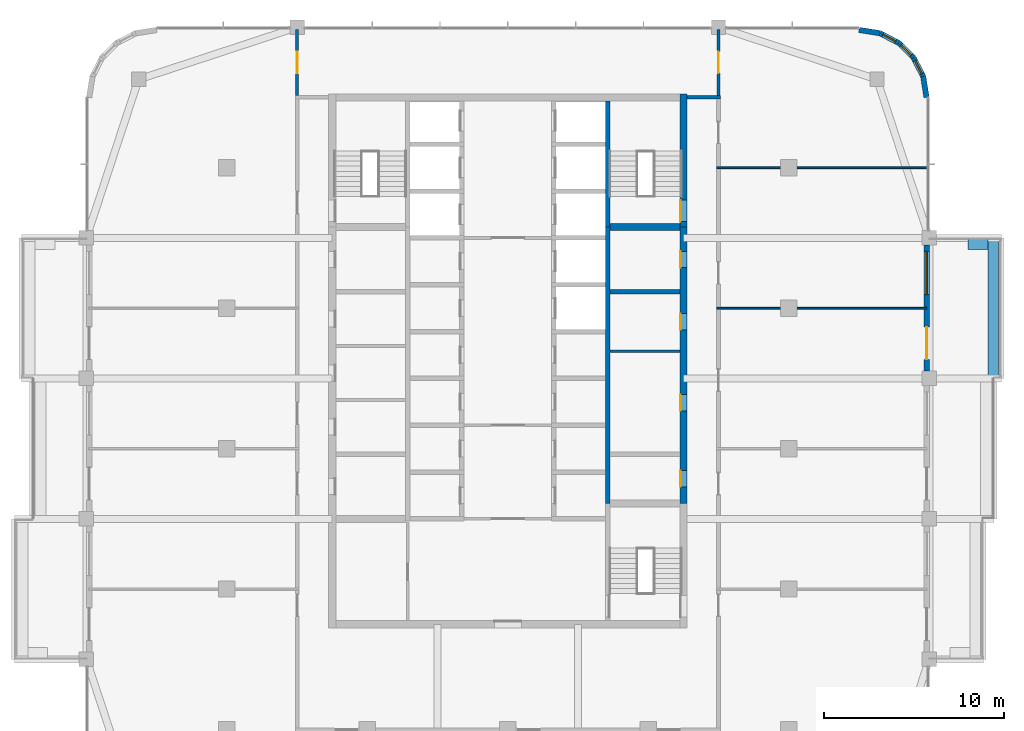
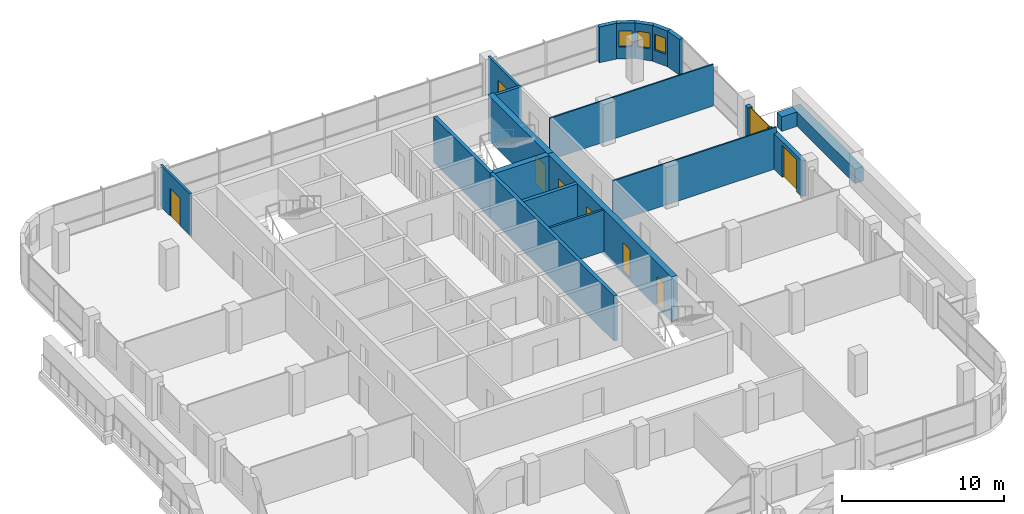
# One storey, part 16 of 22: 20 walls, 8 doors, 4 windows, 12 openings.
"""IFC4 building model written with IfcOpenShell, lengths in metres."""

import ifcopenshell
import ifcopenshell.guid

model = None  # the IFC model being written
_history = None  # IfcOwnerHistory: only IFC2X3 demands one
_inside = {}  # id of a spatial element -> (the spatial element, [elements in it])
_under = {}  # id of a project, library or spatial element -> (it, [spatial elements below it])
_declared = {}  # id of a project -> (the project, [libraries it declares])
_typed = {}  # id of a type object -> (the type object, [elements of that type])
_made_of = {}  # id of a material, layer set ... -> (it, [elements and type objects made of it])


def new_model(schema):
    """Start an empty IFC model of exactly this schema.

    Asked for "IFC4X3", IfcOpenShell would pick the latest addendum, in which some entities
    have other attributes; the version numbers below select the first issue.
    IFC2X3 requires an IfcOwnerHistory on every rooted entity: one is made here for all.
    """
    global model, _history
    if schema == "IFC4X3":
        model = ifcopenshell.file(schema_version=(4, 3, 0, 0))
    else:
        model = ifcopenshell.file(schema=schema)
    _inside.clear()
    _under.clear()
    _declared.clear()
    _typed.clear()
    _made_of.clear()
    _history = None
    if model.schema == "IFC2X3":
        org = make("IfcOrganization", Name="unknown")
        user = make(
            "IfcPersonAndOrganization",
            ThePerson=make("IfcPerson", FamilyName="unknown"),
            TheOrganization=org,
        )
        app = make(
            "IfcApplication",
            ApplicationDeveloper=org,
            Version="unknown",
            ApplicationFullName="unknown",
            ApplicationIdentifier="unknown",
        )
        _history = make(
            "IfcOwnerHistory",
            OwningUser=user,
            OwningApplication=app,
            ChangeAction="ADDED",
            CreationDate=0,
        )
    return model


def make(cls, **values):
    """One entity of the class cls with the attributes given. An attribute that is None is left unset."""
    return model.create_entity(
        cls, **{name: value for name, value in values.items() if value is not None}
    )


def rooted(cls, **values):
    """An entity with a GlobalId (a new one), such as an element, a storey or a relation."""
    return make(cls, GlobalId=ifcopenshell.guid.new(), OwnerHistory=_history, **values)


def si_unit(unit_type, name, prefix=None):
    """IfcSIUnit, for example si_unit("LENGTHUNIT", "METRE", prefix="MILLI")."""
    return make("IfcSIUnit", UnitType=unit_type, Prefix=prefix, Name=name)


def assignment(units):
    """IfcUnitAssignment: the units of a project."""
    return None if units is None else make("IfcUnitAssignment", Units=units)


def point(xyz):
    """IfcCartesianPoint."""
    return None if xyz is None else make("IfcCartesianPoint", Coordinates=xyz)


def direction(xyz):
    """IfcDirection."""
    return None if xyz is None else make("IfcDirection", DirectionRatios=xyz)


def frame(location, z_axis=None, x_axis=None):
    """IfcAxis2Placement3D, a coordinate frame: its origin and axes. An axis left out is left unset."""
    return make(
        "IfcAxis2Placement3D",
        Location=point(location),
        Axis=direction(z_axis),
        RefDirection=direction(x_axis),
    )


def frame_2d(location, x_axis=None):
    """IfcAxis2Placement2D, a coordinate frame in the plane: its origin and x axis."""
    return make(
        "IfcAxis2Placement2D", Location=point(location), RefDirection=direction(x_axis)
    )


def origin():
    """The frame at (0, 0, 0) with its axes left unset."""
    return frame((0.0, 0.0, 0.0))


def place(relative_to, where):
    """IfcLocalPlacement: puts the frame where relative to a parent placement (None: the world)."""
    return make(
        "IfcLocalPlacement", PlacementRelTo=relative_to, RelativePlacement=where
    )


def context(
    kind, dimensions, precision=None, world=None, true_north=None, identifier=None
):
    """IfcGeometricRepresentationContext, for example the 3D "Model" context."""
    return make(
        "IfcGeometricRepresentationContext",
        ContextIdentifier=identifier,
        ContextType=kind,
        CoordinateSpaceDimension=dimensions,
        Precision=precision,
        WorldCoordinateSystem=world,
        TrueNorth=true_north,
    )


def subcontext(parent, identifier, kind, view, scale=None):
    """IfcGeometricRepresentationSubContext, for example "Body" below "Model"."""
    return make(
        "IfcGeometricRepresentationSubContext",
        ContextIdentifier=identifier,
        ContextType=kind,
        ParentContext=parent,
        TargetScale=scale,
        TargetView=view,
    )


def project(units=None, contexts=None):
    """IfcProject with its units and contexts."""
    return rooted(
        "IfcProject",
        Name="project",
        RepresentationContexts=contexts,
        UnitsInContext=assignment(units),
    )


def spatial(cls, under=None, at=None, **own):
    """A site, building, storey or space (cls), placed at a placement, below another one or the project."""
    s = rooted(cls, ObjectPlacement=at, **own)
    if under is not None:
        _under.setdefault(under.id(), (under, []))[1].append(s)
    return s


def profile(cls, at=None, kind="AREA", **sizes):
    """A parametric profile (cls). Its sizes go by their IFC names, for example OverallWidth=200.0."""
    return make(cls, ProfileType=kind, Position=at, **sizes)


def rectangle(**sizes):
    """IfcRectangleProfileDef."""
    return profile("IfcRectangleProfileDef", **sizes)


def extrude(swept, where, along, depth):
    """IfcExtrudedAreaSolid: the profile swept, set in the frame where, extruded along a direction by depth."""
    return make(
        "IfcExtrudedAreaSolid",
        SweptArea=swept,
        Position=where,
        ExtrudedDirection=direction(along),
        Depth=depth,
    )


def shape(context_of_items, identifier, shape_type, items):
    """IfcShapeRepresentation: the items that make up one representation, for example the "Body"."""
    return make(
        "IfcShapeRepresentation",
        ContextOfItems=context_of_items,
        RepresentationIdentifier=identifier,
        RepresentationType=shape_type,
        Items=items,
    )


def material(Name=None, Category=None):
    """IfcMaterial."""
    return make("IfcMaterial", Name=Name, Category=Category)


def layer(
    of_material, thickness, ventilated=None, Name=None, Category=None, Priority=None
):
    """IfcMaterialLayer: one layer of a wall or slab, of a material (None: an air gap)."""
    return make(
        "IfcMaterialLayer",
        Material=of_material,
        LayerThickness=thickness,
        IsVentilated=ventilated,
        Name=Name,
        Category=Category,
        Priority=Priority,
    )


def layer_set(layers, Name=None):
    """IfcMaterialLayerSet."""
    return make("IfcMaterialLayerSet", MaterialLayers=layers, LayerSetName=Name)


def made_of(thing, what):
    """Note that an element or type object is made of a material, layer set ...; save() writes the relation."""
    if what is not None:
        _made_of.setdefault(what.id(), (what, []))[1].append(thing)
    return thing


def type_object(cls, material=None, **own):
    """A type object (cls), such as IfcWallType, which elements share."""
    return made_of(rooted(cls, **own), material)


def element(
    cls,
    number,
    at=None,
    inside=None,
    cuts=None,
    type_object=None,
    material=None,
    context=None,
    identifier="Body",
    shape_type=None,
    held_by="IfcProductDefinitionShape",
    body=None,
    shapes=None,
    **own,
):
    """One element of the class cls, such as IfcWall. Its Tag is "e" and its number.

    at: its placement. inside: the storey or other place that contains it. cuts: it is an
    opening in that element (IfcRelVoidsElement). A single representation is given by context,
    identifier, shape_type and body (its items); several are given by shapes. held_by: the class
    of the entity that holds the representations. save() writes the other relations.
    """
    e = rooted(cls, Tag="e%d" % number, ObjectPlacement=at, **own)
    if body is not None:
        shapes = [shape(context, identifier, shape_type, body)]
    if shapes is not None:
        e.Representation = make(held_by, Representations=shapes)
    if inside is not None:
        _inside.setdefault(inside.id(), (inside, []))[1].append(e)
    if cuts is not None:
        rooted(
            "IfcRelVoidsElement", RelatingBuildingElement=cuts, RelatedOpeningElement=e
        )
    if type_object is not None:
        _typed.setdefault(type_object.id(), (type_object, []))[1].append(e)
    return made_of(e, material)


def fill(opening, filler):
    """IfcRelFillsElement: the door or window that sits in an opening."""
    return rooted(
        "IfcRelFillsElement",
        RelatingOpeningElement=opening,
        RelatedBuildingElement=filler,
    )


def aggregate(whole, parts):
    """IfcRelAggregates: a whole, such as a stair, and the parts it consists of."""
    return rooted("IfcRelAggregates", RelatingObject=whole, RelatedObjects=parts)


def save(model, path):
    """Write the relations noted so far, then the file.

    IfcRelAggregates (storeys below a building ...), IfcRelContainedInSpatialStructure (elements
    in a storey), IfcRelDefinesByType, IfcRelAssociatesMaterial and IfcRelDeclares: one each for
    every whole, place, type object, material and project.
    """
    for whole, parts in _under.values():
        aggregate(whole, parts)
    for where, things in _inside.values():
        rooted(
            "IfcRelContainedInSpatialStructure",
            RelatedElements=things,
            RelatingStructure=where,
        )
    for kind, things in _typed.values():
        rooted("IfcRelDefinesByType", RelatedObjects=things, RelatingType=kind)
    for what, things in _made_of.values():
        rooted("IfcRelAssociatesMaterial", RelatedObjects=things, RelatingMaterial=what)
    for by, libraries in _declared.values():
        rooted("IfcRelDeclares", RelatingContext=by, RelatedDefinitions=libraries)
    model.write(path)


model = new_model("IFC4")

# Units and contexts
model_context = context("Model", 3, precision=1e-05, world=origin(), true_north=direction((0.0, 1.0)))
body_context = subcontext(model_context, "Body", "Model", "MODEL_VIEW")
ifc_project = project(units=[si_unit("LENGTHUNIT", "METRE"), si_unit("AREAUNIT", "SQUARE_METRE"), si_unit("VOLUMEUNIT", "CUBIC_METRE"), si_unit("PLANEANGLEUNIT", "RADIAN"), si_unit("MASSUNIT", "GRAM", prefix="KILO")], contexts=[model_context])

# Site, building, storey
site_placement = place(None, origin())
site = spatial("IfcSite", under=ifc_project, at=site_placement, CompositionType="ELEMENT")
building_placement = place(site_placement, origin())
building = spatial("IfcBuilding", under=site, at=building_placement, Name="Ludao Terraces", CompositionType="ELEMENT")
storey_placement = place(building_placement, frame((0.0, 0.0, 200.699951171875)))
storey = spatial("IfcBuildingStorey", under=building, at=storey_placement, Name="L54", CompositionType="ELEMENT", Elevation=200.699951171875)

# Wall, openings, doors
ifc_material_1 = material(Name="Concrete C50", Category="concrete")
ifc_layer_1 = layer(ifc_material_1, 0.39990234375)
ifc_layer_set_1 = layer_set([ifc_layer_1], Name="Core wall 400 C50")
wall_type_1 = type_object("IfcWallType", Name="Core wall 400 C50", PredefinedType="SOLIDWALL", material=ifc_layer_set_1)
wall_1_placement = place(storey_placement, frame((94.75, 61.949951171875, -0.25), z_axis=(0.0, 0.0, 1.0), x_axis=(0.0, 1.0, 0.0)))
wall_1 = element("IfcWall", 1, at=wall_1_placement, inside=storey, type_object=wall_type_1, Name="Core wall L54 outer-E", PredefinedType="SOLIDWALL", context=body_context, shape_type="SweptSolid", body=[
    extrude(rectangle(XDim=15.35009765625, YDim=0.39990234375, at=frame_2d((7.675048828125, 0.0))), origin(), (0.0, 0.0, 1.0), 3.400146484375),
])
opening_1_placement = place(wall_1_placement, frame((0.925048828125, 0.0, 0.25)))
opening_1 = element("IfcOpeningElement", 2, at=opening_1_placement, cuts=wall_1, Name="Opening C3-016", PredefinedType="OPENING", context=body_context, shape_type="SweptSolid", body=[
    extrude(rectangle(XDim=0.89990234375, YDim=2.10009765625, at=frame_2d((0.449951171875, 1.050048828125))), frame((0.0, 0.2099609375, 0.0), z_axis=(0.0, -1.0, 0.0), x_axis=(1.0, 0.0, 0.0)), (0.0, 0.0, 1.0), 0.419921875),
])
opening_2_placement = place(wall_1_placement, frame((5.14990234375, 0.0, 0.25)))
opening_2 = element("IfcOpeningElement", 3, at=opening_2_placement, cuts=wall_1, Name="Opening C3-022", PredefinedType="OPENING", context=body_context, shape_type="SweptSolid", body=[
    extrude(rectangle(XDim=0.89990234375, YDim=2.10009765625, at=frame_2d((0.449951171875, 1.050048828125))), frame((0.0, 0.2099609375, 0.0), z_axis=(0.0, -1.0, 0.0), x_axis=(1.0, 0.0, 0.0)), (0.0, 0.0, 1.0), 0.419921875),
])
opening_3_placement = place(wall_1_placement, frame((9.64990234375, 0.0, 0.25)))
opening_3 = element("IfcOpeningElement", 4, at=opening_3_placement, cuts=wall_1, Name="Opening C3-029", PredefinedType="OPENING", context=body_context, shape_type="SweptSolid", body=[
    extrude(rectangle(XDim=0.89990234375, YDim=2.10009765625, at=frame_2d((0.449951171875, 1.050048828125))), frame((0.0, 0.2099609375, 0.0), z_axis=(0.0, -1.0, 0.0), x_axis=(1.0, 0.0, 0.0)), (0.0, 0.0, 1.0), 0.419921875),
])
opening_4_placement = place(wall_1_placement, frame((13.10009765625, 0.0, 0.25)))
opening_4 = element("IfcOpeningElement", 5, at=opening_4_placement, cuts=wall_1, Name="Opening C3-037", PredefinedType="OPENING", context=body_context, shape_type="SweptSolid", body=[
    extrude(rectangle(XDim=0.89990234375, YDim=2.10009765625, at=frame_2d((0.449951171875, 1.050048828125))), frame((0.0, 0.2099609375, 0.0), z_axis=(0.0, -1.0, 0.0), x_axis=(1.0, 0.0, 0.0)), (0.0, 0.0, 1.0), 0.419921875),
])
ifc_material_2 = material(Name="Steel Q235", Category="steel")
door_type_1 = type_object("IfcDoorType", Name="INT Riser door 900", OperationType="SINGLE_SWING_LEFT", PredefinedType="DOOR", material=ifc_material_2)
door_1_placement = place(opening_1_placement, origin())
door_1 = element("IfcDoor", 6, at=door_1_placement, inside=storey, type_object=door_type_1, Name="DOOR 016", OperationType="SINGLE_SWING_LEFT", OverallHeight=2.10009765625, OverallWidth=0.89990234375, PredefinedType="DOOR", context=body_context, shape_type="SweptSolid", body=[
    extrude(rectangle(XDim=0.89990234375, YDim=2.10009765625, at=frame_2d((0.449951171875, 1.050048828125))), frame((0.0, 0.18505859375, 0.0), z_axis=(0.0, -1.0, 0.0), x_axis=(1.0, 0.0, 0.0)), (0.0, 0.0, 1.0), 0.050048828125),
])
fill(opening_1, door_1)
door_2_placement = place(opening_4_placement, origin())
door_2 = element("IfcDoor", 7, at=door_2_placement, inside=storey, type_object=door_type_1, Name="DOOR 037", OperationType="SINGLE_SWING_RIGHT", OverallHeight=2.10009765625, OverallWidth=0.89990234375, PredefinedType="DOOR", context=body_context, shape_type="SweptSolid", body=[
    extrude(rectangle(XDim=0.89990234375, YDim=2.10009765625, at=frame_2d((0.449951171875, 1.050048828125))), frame((0.0, 0.18505859375, 0.0), z_axis=(0.0, -1.0, 0.0), x_axis=(1.0, 0.0, 0.0)), (0.0, 0.0, 1.0), 0.050048828125),
])
fill(opening_4, door_2)
ifc_material_3 = material(Name="Timber door leaf", Category="wood")
door_type_2 = type_object("IfcDoorType", Name="INT Room door 900", OperationType="SINGLE_SWING_LEFT", PredefinedType="DOOR", material=ifc_material_3)
door_3_placement = place(opening_2_placement, origin())
door_3 = element("IfcDoor", 8, at=door_3_placement, inside=storey, type_object=door_type_2, Name="DOOR 022", OperationType="SINGLE_SWING_LEFT", OverallHeight=2.10009765625, OverallWidth=0.89990234375, PredefinedType="DOOR", context=body_context, shape_type="SweptSolid", body=[
    extrude(rectangle(XDim=0.89990234375, YDim=2.10009765625, at=frame_2d((0.449951171875, 1.050048828125))), frame((0.0, 0.18505859375, 0.0), z_axis=(0.0, -1.0, 0.0), x_axis=(1.0, 0.0, 0.0)), (0.0, 0.0, 1.0), 0.050048828125),
])
fill(opening_2, door_3)
door_4_placement = place(opening_3_placement, origin())
door_4 = element("IfcDoor", 9, at=door_4_placement, inside=storey, type_object=door_type_2, Name="DOOR 029", OperationType="SINGLE_SWING_LEFT", OverallHeight=2.10009765625, OverallWidth=0.89990234375, PredefinedType="DOOR", context=body_context, shape_type="SweptSolid", body=[
    extrude(rectangle(XDim=0.89990234375, YDim=2.10009765625, at=frame_2d((0.449951171875, 1.050048828125))), frame((0.0, 0.18505859375, 0.0), z_axis=(0.0, -1.0, 0.0), x_axis=(1.0, 0.0, 0.0)), (0.0, 0.0, 1.0), 0.050048828125),
])
fill(opening_3, door_4)

# Wall, opening, door
wall_2_placement = place(storey_placement, frame((94.75, 77.300048828125, -0.25), z_axis=(0.0, 0.0, 1.0), x_axis=(0.0, 1.0, 0.0)))
wall_2 = element("IfcWall", 10, at=wall_2_placement, inside=storey, type_object=wall_type_1, Name="Core wall L54 outer-E-S2", PredefinedType="SOLIDWALL", context=body_context, shape_type="SweptSolid", body=[
    extrude(rectangle(XDim=7.39990234375, YDim=0.39990234375, at=frame_2d((3.699951171875, 0.0))), origin(), (0.0, 0.0, 1.0), 3.400146484375),
])
opening_5_placement = place(wall_2_placement, frame((0.300048828125, 0.0, 0.25)))
opening_5 = element("IfcOpeningElement", 11, at=opening_5_placement, cuts=wall_2, Name="Opening C3-042", PredefinedType="OPENING", context=body_context, shape_type="SweptSolid", body=[
    extrude(rectangle(XDim=1.199951171875, YDim=2.10009765625, at=frame_2d((0.60009765625, 1.050048828125))), frame((0.0, 0.2099609375, 0.0), z_axis=(0.0, -1.0, 0.0), x_axis=(1.0, 0.0, 0.0)), (0.0, 0.0, 1.0), 0.419921875),
])
door_type_3 = type_object("IfcDoorType", Name="INT Stair door 1200", OperationType="DOUBLE_DOOR_SINGLE_SWING", PredefinedType="DOOR", material=ifc_material_2)
door_5_placement = place(opening_5_placement, origin())
door_5 = element("IfcDoor", 12, at=door_5_placement, inside=storey, type_object=door_type_3, Name="DOOR 042", OperationType="DOUBLE_DOOR_SINGLE_SWING", OverallHeight=2.10009765625, OverallWidth=1.199951171875, PredefinedType="DOOR", context=body_context, shape_type="SweptSolid", body=[
    extrude(rectangle(XDim=1.199951171875, YDim=2.10009765625, at=frame_2d((0.60009765625, 1.050048828125))), frame((0.0, 0.18505859375, 0.0), z_axis=(0.0, -1.0, 0.0), x_axis=(1.0, 0.0, 0.0)), (0.0, 0.0, 1.0), 0.050048828125),
])
fill(opening_5, door_5)

# Walls
ifc_material_4 = material(Name="Concrete C40", Category="concrete")
ifc_layer_2 = layer(ifc_material_4, 0.60009765625)
ifc_layer_set_2 = layer_set([ifc_layer_2], Name="ENV Planter trough 600")
wall_type_2 = type_object("IfcWallType", Name="ENV Planter trough 600", PredefinedType="USERDEFINED", material=ifc_layer_set_2)
wall_3_placement = place(storey_placement, frame((111.949951171875, 68.89990234375, 0.0), z_axis=(0.0, 0.0, 1.0), x_axis=(0.0, 1.0, 0.0)))
element("IfcWall", 13, at=wall_3_placement, inside=storey, type_object=wall_type_2, Name="PL-L54-E3", ObjectType="PLANTER", PredefinedType="USERDEFINED", context=body_context, shape_type="SweptSolid", body=[
    extrude(rectangle(XDim=7.800048828125, YDim=0.60009765625, at=frame_2d((3.89990234375, 0.0))), origin(), (0.0, 0.0, 1.0), 1.10009765625),
])
wall_4_placement = place(storey_placement, frame((111.64990234375, 76.35009765625, 0.0), z_axis=(0.0, 0.0, 1.0), x_axis=(-1.0, 0.0, 0.0)))
element("IfcWall", 14, at=wall_4_placement, inside=storey, type_object=wall_type_2, Name="PL-L54-E3-SB", ObjectType="PLANTER", PredefinedType="USERDEFINED", context=body_context, shape_type="SweptSolid", body=[
    extrude(rectangle(XDim=1.099853515625, YDim=0.60009765625, at=frame_2d((0.5498046875, 0.0))), origin(), (0.0, 0.0, 1.0), 1.10009765625),
])

# Wall, openings, door, window
ifc_material_5 = material(Name="Granite cladding", Category="masonry")
ifc_layer_3 = layer(ifc_material_5, 0.0400390625, Category="stone")
ifc_material_6 = material(Name="Mineral wool")
ifc_layer_4 = layer(ifc_material_6, 0.06005859375)
ifc_layer_5 = layer(ifc_material_4, 0.199951171875, Category="concrete")
ifc_layer_set_3 = layer_set([ifc_layer_3, ifc_layer_4, ifc_layer_5], Name="ENV Stone-clad wall 300")
wall_type_3 = type_object("IfcWallType", Name="ENV Stone-clad wall 300", PredefinedType="SOLIDWALL", material=ifc_layer_set_3)
wall_5_placement = place(storey_placement, frame((108.25, 69.300048828125, 0.0), z_axis=(0.0, 0.0, 1.0), x_axis=(0.0, 1.0, 0.0)))
wall_5 = element("IfcWall", 15, at=wall_5_placement, inside=storey, type_object=wall_type_3, Name="EW-L54-E4", PredefinedType="SOLIDWALL", context=body_context, shape_type="SweptSolid", body=[
    extrude(rectangle(XDim=7.0, YDim=0.300048828125, at=frame_2d((3.5, 0.0))), origin(), (0.0, 0.0, 1.0), 2.699951171875),
])
opening_6_placement = place(wall_5_placement, frame((0.64990234375, 0.0, 0.0)))
opening_6 = element("IfcOpeningElement", 16, at=opening_6_placement, cuts=wall_5, Name="Opening BD", PredefinedType="OPENING", context=body_context, shape_type="SweptSolid", body=[
    extrude(rectangle(XDim=1.800048828125, YDim=2.39990234375, at=frame_2d((0.89990234375, 1.199951171875))), frame((0.0, 0.16015625, 0.0), z_axis=(0.0, -1.0, 0.0), x_axis=(1.0, 0.0, 0.0)), (0.0, 0.0, 1.0), 0.320068359375),
])
opening_7_placement = place(wall_5_placement, frame((4.25, 0.0, 0.60009765625)))
opening_7 = element("IfcOpeningElement", 17, at=opening_7_placement, cuts=wall_5, Name="Opening W4", PredefinedType="OPENING", context=body_context, shape_type="SweptSolid", body=[
    extrude(rectangle(XDim=2.39990234375, YDim=2.10009765625, at=frame_2d((1.199951171875, 1.050048828125))), frame((0.0, 0.16015625, 0.0), z_axis=(0.0, -1.0, 0.0), x_axis=(1.0, 0.0, 0.0)), (0.0, 0.0, 1.0), 0.320068359375),
])
ifc_material_7 = material(Name="Aluminium glazed door", Category="aluminium")
ifc_layer_6 = layer(ifc_material_7, 0.06005859375)
ifc_layer_set_4 = layer_set([ifc_layer_6], Name="ENV Balcony door BD 1800x2400")
door_type_4 = type_object("IfcDoorType", Name="ENV Balcony door BD 1800x2400", OperationType="DOUBLE_DOOR_SINGLE_SWING", PredefinedType="DOOR", material=ifc_layer_set_4)
door_6_placement = place(opening_6_placement, origin())
door_6 = element("IfcDoor", 18, at=door_6_placement, inside=storey, type_object=door_type_4, Name="BD-L54-E4-1", OperationType="DOUBLE_DOOR_SINGLE_SWING", OverallHeight=2.39990234375, OverallWidth=1.800048828125, PredefinedType="DOOR", context=body_context, shape_type="SweptSolid", body=[
    extrude(rectangle(XDim=1.800048828125, YDim=2.39990234375, at=frame_2d((0.89990234375, 1.199951171875))), frame((0.0, 0.02490234375, 0.0), z_axis=(0.0, -1.0, 0.0), x_axis=(1.0, 0.0, 0.0)), (0.0, 0.0, 1.0), 0.050048828125),
])
fill(opening_6, door_6)
ifc_material_8 = material(Name="Clear glass in aluminium frame", Category="aluminium")
ifc_layer_7 = layer(ifc_material_8, 0.06005859375)
ifc_layer_set_5 = layer_set([ifc_layer_7], Name="ENV Window W4 2400x2100")
window_type_1 = type_object("IfcWindowType", Name="ENV Window W4 2400x2100", PartitioningType="SINGLE_PANEL", PredefinedType="WINDOW", material=ifc_layer_set_5)
window_1_placement = place(opening_7_placement, origin())
window_1 = element("IfcWindow", 19, at=window_1_placement, inside=storey, type_object=window_type_1, Name="W-L54-E4-2", OverallHeight=2.10009765625, OverallWidth=2.39990234375, PartitioningType="SINGLE_PANEL", PredefinedType="WINDOW", context=body_context, shape_type="SweptSolid", body=[
    extrude(rectangle(XDim=2.39990234375, YDim=2.10009765625, at=frame_2d((1.199951171875, 1.050048828125))), frame((0.0, 0.030029296875, 0.0), z_axis=(0.0, -1.0, 0.0), x_axis=(1.0, 0.0, 0.0)), (0.0, 0.0, 1.0), 0.06005859375),
])
fill(opening_7, window_1)

# Wall
wall_6_placement = place(storey_placement, frame((108.25, 84.5, 0.0), z_axis=(0.0, 0.0, 1.0), x_axis=(-0.156496880861, 0.987678452879, 0.0)))
element("IfcWall", 20, at=wall_6_placement, inside=storey, type_object=wall_type_3, Name="EW-L54-NE1", PredefinedType="SOLIDWALL", context=body_context, shape_type="SweptSolid", body=[
    extrude(rectangle(XDim=1.173095703125, YDim=0.300048828125, at=frame_2d((0.58642578125, 0.0))), origin(), (0.0, 0.0, 1.0), 2.699951171875),
])

# Wall, opening, window
wall_7_placement = place(storey_placement, frame((108.06640625, 85.65869140625, 0.0), z_axis=(0.0, 0.0, 1.0), x_axis=(-0.454025524128, 0.890988677504, 0.0)))
wall_7 = element("IfcWall", 21, at=wall_7_placement, inside=storey, type_object=wall_type_3, Name="EW-L54-NE2", PredefinedType="SOLIDWALL", context=body_context, shape_type="SweptSolid", body=[
    extrude(rectangle(XDim=1.17333984375, YDim=0.300048828125, at=frame_2d((0.586669921875, 0.0))), origin(), (0.0, 0.0, 1.0), 2.699951171875),
])
opening_8_placement = place(wall_7_placement, frame((0.1865234375, 0.0, 0.89990234375)))
opening_8 = element("IfcOpeningElement", 22, at=opening_8_placement, cuts=wall_7, Name="Opening W3", PredefinedType="OPENING", context=body_context, shape_type="SweptSolid", body=[
    extrude(rectangle(XDim=0.800048828125, YDim=1.199951171875, at=frame_2d((0.39990234375, 0.60009765625))), frame((0.0, 0.16015625, 0.0), z_axis=(0.0, -1.0, 0.0), x_axis=(1.0, 0.0, 0.0)), (0.0, 0.0, 1.0), 0.320068359375),
])
ifc_layer_8 = layer(ifc_material_8, 0.06005859375)
ifc_layer_set_6 = layer_set([ifc_layer_8], Name="ENV Window W3 800x1200")
window_type_2 = type_object("IfcWindowType", Name="ENV Window W3 800x1200", PartitioningType="SINGLE_PANEL", PredefinedType="WINDOW", material=ifc_layer_set_6)
window_2_placement = place(opening_8_placement, origin())
window_2 = element("IfcWindow", 23, at=window_2_placement, inside=storey, type_object=window_type_2, Name="W-L54-NE2", OverallHeight=1.199951171875, OverallWidth=0.800048828125, PartitioningType="SINGLE_PANEL", PredefinedType="WINDOW", context=body_context, shape_type="SweptSolid", body=[
    extrude(rectangle(XDim=0.800048828125, YDim=1.199951171875, at=frame_2d((0.39990234375, 0.60009765625))), frame((0.0, 0.030029296875, 0.0), z_axis=(0.0, -1.0, 0.0), x_axis=(1.0, 0.0, 0.0)), (0.0, 0.0, 1.0), 0.06005859375),
])
fill(opening_8, window_2)

wall_8_placement = place(storey_placement, frame((107.53369140625, 86.7041015625, 0.0), z_axis=(0.0, 0.0, 1.0), x_axis=(-0.707106781187, 0.707106781187, 0.0)))
wall_8 = element("IfcWall", 24, at=wall_8_placement, inside=storey, type_object=wall_type_3, Name="EW-L54-NE3", PredefinedType="SOLIDWALL", context=body_context, shape_type="SweptSolid", body=[
    extrude(rectangle(XDim=1.173095703125, YDim=0.300048828125, at=frame_2d((0.58642578125, 0.0))), origin(), (0.0, 0.0, 1.0), 2.699951171875),
])
opening_9_placement = place(wall_8_placement, frame((0.1865234375, 0.0, 0.89990234375)))
opening_9 = element("IfcOpeningElement", 25, at=opening_9_placement, cuts=wall_8, Name="Opening W3", PredefinedType="OPENING", context=body_context, shape_type="SweptSolid", body=[
    extrude(rectangle(XDim=0.800048828125, YDim=1.199951171875, at=frame_2d((0.39990234375, 0.60009765625))), frame((0.0, 0.16015625, 0.0), z_axis=(0.0, -1.0, 0.0), x_axis=(1.0, 0.0, 0.0)), (0.0, 0.0, 1.0), 0.320068359375),
])
window_3_placement = place(opening_9_placement, origin())
window_3 = element("IfcWindow", 26, at=window_3_placement, inside=storey, type_object=window_type_2, Name="W-L54-NE3", OverallHeight=1.199951171875, OverallWidth=0.800048828125, PartitioningType="SINGLE_PANEL", PredefinedType="WINDOW", context=body_context, shape_type="SweptSolid", body=[
    extrude(rectangle(XDim=0.800048828125, YDim=1.199951171875, at=frame_2d((0.39990234375, 0.60009765625))), frame((0.0, 0.030029296875, 0.0), z_axis=(0.0, -1.0, 0.0), x_axis=(1.0, 0.0, 0.0)), (0.0, 0.0, 1.0), 0.06005859375),
])
fill(opening_9, window_3)

wall_9_placement = place(storey_placement, frame((106.7041015625, 87.53369140625, 0.0), z_axis=(0.0, 0.0, 1.0), x_axis=(-0.890988677504, 0.454025524128, 0.0)))
wall_9 = element("IfcWall", 27, at=wall_9_placement, inside=storey, type_object=wall_type_3, Name="EW-L54-NE4", PredefinedType="SOLIDWALL", context=body_context, shape_type="SweptSolid", body=[
    extrude(rectangle(XDim=1.17333984375, YDim=0.300048828125, at=frame_2d((0.586669921875, 0.0))), origin(), (0.0, 0.0, 1.0), 2.699951171875),
])
opening_10_placement = place(wall_9_placement, frame((0.1865234375, 0.0, 0.89990234375)))
opening_10 = element("IfcOpeningElement", 28, at=opening_10_placement, cuts=wall_9, Name="Opening W3", PredefinedType="OPENING", context=body_context, shape_type="SweptSolid", body=[
    extrude(rectangle(XDim=0.800048828125, YDim=1.199951171875, at=frame_2d((0.39990234375, 0.60009765625))), frame((0.0, 0.16015625, 0.0), z_axis=(0.0, -1.0, 0.0), x_axis=(1.0, 0.0, 0.0)), (0.0, 0.0, 1.0), 0.320068359375),
])
window_4_placement = place(opening_10_placement, origin())
window_4 = element("IfcWindow", 29, at=window_4_placement, inside=storey, type_object=window_type_2, Name="W-L54-NE4", OverallHeight=1.199951171875, OverallWidth=0.800048828125, PartitioningType="SINGLE_PANEL", PredefinedType="WINDOW", context=body_context, shape_type="SweptSolid", body=[
    extrude(rectangle(XDim=0.800048828125, YDim=1.199951171875, at=frame_2d((0.39990234375, 0.60009765625))), frame((0.0, 0.030029296875, 0.0), z_axis=(0.0, -1.0, 0.0), x_axis=(1.0, 0.0, 0.0)), (0.0, 0.0, 1.0), 0.06005859375),
])
fill(opening_10, window_4)

# Walls
wall_10_placement = place(storey_placement, frame((105.65869140625, 88.06640625, 0.0), z_axis=(0.0, 0.0, 1.0), x_axis=(-0.987678452879, 0.156496880861, 0.0)))
element("IfcWall", 30, at=wall_10_placement, inside=storey, type_object=wall_type_3, Name="EW-L54-NE5", PredefinedType="SOLIDWALL", context=body_context, shape_type="SweptSolid", body=[
    extrude(rectangle(XDim=1.173095703125, YDim=0.300048828125, at=frame_2d((0.58642578125, 0.0))), origin(), (0.0, 0.0, 1.0), 2.699951171875),
])
ifc_material_9 = material(Name="Fire-rated gypsum plasterboard", Category="gypsum")
ifc_layer_9 = layer(ifc_material_9, 0.012451171875, Category="gypsum")
ifc_layer_10 = layer(ifc_material_6, 0.10009765625, Name="insulation")
ifc_layer_11 = layer(ifc_material_2, 0.02490234375, Name="stud")
ifc_layer_12 = layer(ifc_material_9, 0.012451171875, Category="gypsum")
ifc_layer_set_7 = layer_set([ifc_layer_9, ifc_layer_10, ifc_layer_11, ifc_layer_12], Name="INT Core partition 150")
wall_type_4 = type_object("IfcWallType", Name="INT Core partition 150", PredefinedType="PARTITIONING", material=ifc_layer_set_7)
wall_11_placement = place(storey_placement, frame((90.675048828125, 70.39990234375, 0.0), z_axis=(0.0, 0.0, 1.0), x_axis=(1.0, 0.0, 0.0)))
element("IfcWall", 31, at=wall_11_placement, inside=storey, type_object=wall_type_4, Name="PW-L54-PW008", PredefinedType="PARTITIONING", context=body_context, shape_type="SweptSolid", body=[
    extrude(rectangle(XDim=3.875, YDim=0.14990234375, at=frame_2d((1.9375, 0.0))), origin(), (0.0, 0.0, 1.0), 3.150146484375),
])
ifc_material_10 = material(Name="Autoclaved aerated concrete block B06 A3.5", Category="concrete")
ifc_layer_13 = layer(ifc_material_10, 0.199951171875)
ifc_layer_set_8 = layer_set([ifc_layer_13], Name="INT Entrance wall 200")
wall_type_5 = type_object("IfcWallType", Name="INT Entrance wall 200", PredefinedType="PARTITIONING", material=ifc_layer_set_8)
wall_12_placement = place(storey_placement, frame((94.9501953125, 84.5, 0.0), z_axis=(0.0, 0.0, 1.0), x_axis=(1.0, 0.0, 0.0)))
element("IfcWall", 32, at=wall_12_placement, inside=storey, type_object=wall_type_5, Name="PW-L54-PW015", PredefinedType="PARTITIONING", context=body_context, shape_type="SweptSolid", body=[
    extrude(rectangle(XDim=1.849853515625, YDim=0.199951171875, at=frame_2d((0.9248046875, 0.0))), origin(), (0.0, 0.0, 1.0), 3.150146484375),
])
ifc_material_11 = material(Name="Gypsum plasterboard", Category="gypsum")
ifc_layer_14 = layer(ifc_material_11, 0.012451171875, Category="gypsum")
ifc_layer_15 = layer(ifc_material_6, 0.06005859375, Name="insulation")
ifc_layer_16 = layer(ifc_material_2, 0.014892578125, Name="stud")
ifc_layer_17 = layer(ifc_material_11, 0.012451171875, Category="gypsum")
ifc_layer_set_9 = layer_set([ifc_layer_14, ifc_layer_15, ifc_layer_16, ifc_layer_17], Name="INT Partition 100")
wall_type_6 = type_object("IfcWallType", Name="INT Partition 100", PredefinedType="PARTITIONING", material=ifc_layer_set_9)
for number, where, z_axis, x_axis, name in (
    (33, (96.60009765625, 72.800048828125, 0.0), (0.0, 0.0, 1.0), (1.0, 0.0, 0.0), "PW-L54-PW011"),
    (34, (96.60009765625, 80.60009765625, 0.0), (0.0, 0.0, 1.0), (1.0, 0.0, 0.0), "PW-L54-PW013"),
):
    element("IfcWall", number, at=place(storey_placement, frame(where, z_axis=z_axis, x_axis=x_axis)), inside=storey, type_object=wall_type_6, Name=name, PredefinedType="PARTITIONING", context=body_context, shape_type="SweptSolid", body=[
        extrude(rectangle(XDim=11.664794921875, YDim=0.10009765625, at=frame_2d((5.83251953125, 0.0))), origin(), (0.0, 0.0, 1.0), 3.150146484375),
    ])

# Wall, opening, door
ifc_layer_18 = layer(ifc_material_10, 0.14990234375)
ifc_layer_set_10 = layer_set([ifc_layer_18], Name="INT Party wall 150")
wall_type_7 = type_object("IfcWallType", Name="INT Party wall 150", PredefinedType="PARTITIONING", material=ifc_layer_set_10)
wall_13_placement = place(storey_placement, frame((73.300048828125, 84.60009765625, 0.0), z_axis=(0.0, 0.0, 1.0), x_axis=(0.0, 1.0, 0.0)))
wall_13 = element("IfcWall", 35, at=wall_13_placement, inside=storey, type_object=wall_type_7, Name="PW-L54-PW018", PredefinedType="PARTITIONING", context=body_context, shape_type="SweptSolid", body=[
    extrude(rectangle(XDim=3.664794921875, YDim=0.14990234375, at=frame_2d((1.83251953125, 0.0))), origin(), (0.0, 0.0, 1.0), 3.150146484375),
])
opening_11_placement = place(wall_13_placement, frame((1.25, 0.0, 0.0)))
opening_11 = element("IfcOpeningElement", 36, at=opening_11_placement, cuts=wall_13, Name="Opening C3-049", PredefinedType="OPENING", context=body_context, shape_type="SweptSolid", body=[
    extrude(rectangle(XDim=1.199951171875, YDim=2.10009765625, at=frame_2d((0.60009765625, 1.050048828125))), frame((0.0, 0.0849609375, 0.0), z_axis=(0.0, -1.0, 0.0), x_axis=(1.0, 0.0, 0.0)), (0.0, 0.0, 1.0), 0.169921875),
])
door_type_5 = type_object("IfcDoorType", Name="INT Double door 1200", OperationType="DOUBLE_DOOR_SINGLE_SWING", PredefinedType="DOOR", material=ifc_material_3)
door_7_placement = place(opening_11_placement, origin())
door_7 = element("IfcDoor", 37, at=door_7_placement, inside=storey, type_object=door_type_5, Name="DOOR 049", OperationType="DOUBLE_DOOR_SINGLE_SWING", OverallHeight=2.10009765625, OverallWidth=1.199951171875, PredefinedType="DOOR", context=body_context, shape_type="SweptSolid", body=[
    extrude(rectangle(XDim=1.199951171875, YDim=2.10009765625, at=frame_2d((0.60009765625, 1.050048828125))), frame((0.0, 0.02490234375, 0.0), z_axis=(0.0, -1.0, 0.0), x_axis=(1.0, 0.0, 0.0)), (0.0, 0.0, 1.0), 0.050048828125),
])
fill(opening_11, door_7)

wall_14_placement = place(storey_placement, frame((96.699951171875, 84.60009765625, 0.0), z_axis=(0.0, 0.0, 1.0), x_axis=(0.0, 1.0, 0.0)))
wall_14 = element("IfcWall", 38, at=wall_14_placement, inside=storey, type_object=wall_type_7, Name="PW-L54-PW024", PredefinedType="PARTITIONING", context=body_context, shape_type="SweptSolid", body=[
    extrude(rectangle(XDim=3.664794921875, YDim=0.14990234375, at=frame_2d((1.83251953125, 0.0))), origin(), (0.0, 0.0, 1.0), 3.150146484375),
])
opening_12_placement = place(wall_14_placement, frame((1.25, 0.0, 0.0)))
opening_12 = element("IfcOpeningElement", 39, at=opening_12_placement, cuts=wall_14, Name="Opening C3-050", PredefinedType="OPENING", context=body_context, shape_type="SweptSolid", body=[
    extrude(rectangle(XDim=1.199951171875, YDim=2.10009765625, at=frame_2d((0.60009765625, 1.050048828125))), frame((0.0, 0.0849609375, 0.0), z_axis=(0.0, -1.0, 0.0), x_axis=(1.0, 0.0, 0.0)), (0.0, 0.0, 1.0), 0.169921875),
])
door_8_placement = place(opening_12_placement, origin())
door_8 = element("IfcDoor", 40, at=door_8_placement, inside=storey, type_object=door_type_5, Name="DOOR 050", OperationType="DOUBLE_DOOR_SINGLE_SWING", OverallHeight=2.10009765625, OverallWidth=1.199951171875, PredefinedType="DOOR", context=body_context, shape_type="SweptSolid", body=[
    extrude(rectangle(XDim=1.199951171875, YDim=2.10009765625, at=frame_2d((0.60009765625, 1.050048828125))), frame((0.0, 0.02490234375, 0.0), z_axis=(0.0, -1.0, 0.0), x_axis=(1.0, 0.0, 0.0)), (0.0, 0.0, 1.0), 0.050048828125),
])
fill(opening_12, door_8)

# Walls
ifc_layer_19 = layer(ifc_material_1, 0.25)
ifc_layer_set_11 = layer_set([ifc_layer_19], Name="Shaft wall 250 C50")
wall_type_8 = type_object("IfcWallType", Name="Shaft wall 250 C50", PredefinedType="SOLIDWALL", material=ifc_layer_set_11)
wall_15_placement = place(storey_placement, frame((90.550048828125, 61.949951171875, -0.25), z_axis=(0.0, 0.0, 1.0), x_axis=(0.0, 1.0, 0.0)))
element("IfcWall", 41, at=wall_15_placement, inside=storey, type_object=wall_type_8, Name="Core wall L54 back-E", PredefinedType="SOLIDWALL", context=body_context, shape_type="SweptSolid", body=[
    extrude(rectangle(XDim=15.35009765625, YDim=0.25, at=frame_2d((7.675048828125, 0.0))), origin(), (0.0, 0.0, 1.0), 3.400146484375),
])
wall_16_placement = place(storey_placement, frame((90.550048828125, 77.300048828125, -0.25), z_axis=(0.0, 0.0, 1.0), x_axis=(0.0, 1.0, 0.0)))
element("IfcWall", 42, at=wall_16_placement, inside=storey, type_object=wall_type_8, Name="Core wall L54 back-E-S2", PredefinedType="SOLIDWALL", context=body_context, shape_type="SweptSolid", body=[
    extrude(rectangle(XDim=7.0, YDim=0.25, at=frame_2d((3.5, 0.0))), origin(), (0.0, 0.0, 1.0), 3.400146484375),
])
wall_17_placement = place(storey_placement, frame((90.675048828125, 73.699951171875, -0.25), z_axis=(0.0, 0.0, 1.0), x_axis=(1.0, 0.0, 0.0)))
element("IfcWall", 43, at=wall_17_placement, inside=storey, type_object=wall_type_8, Name="Core wall L54 riser-b-E", PredefinedType="SOLIDWALL", context=body_context, shape_type="SweptSolid", body=[
    extrude(rectangle(XDim=3.875, YDim=0.25, at=frame_2d((1.9375, 0.0))), origin(), (0.0, 0.0, 1.0), 3.400146484375),
])
ifc_layer_20 = layer(ifc_material_1, 0.39990234375)
ifc_layer_set_12 = layer_set([ifc_layer_20], Name="Shaft wall 400 C50")
wall_type_9 = type_object("IfcWallType", Name="Shaft wall 400 C50", PredefinedType="SOLIDWALL", material=ifc_layer_set_12)
wall_18_placement = place(storey_placement, frame((90.675048828125, 77.300048828125, -0.25), z_axis=(0.0, 0.0, 1.0), x_axis=(1.0, 0.0, 0.0)))
element("IfcWall", 44, at=wall_18_placement, inside=storey, type_object=wall_type_9, Name="Core wall L54 stair-E", PredefinedType="SOLIDWALL", context=body_context, shape_type="SweptSolid", body=[
    extrude(rectangle(XDim=3.875, YDim=0.39990234375, at=frame_2d((1.9375, 0.0))), origin(), (0.0, 0.0, 1.0), 3.400146484375),
])

save(model, "model.ifc")
